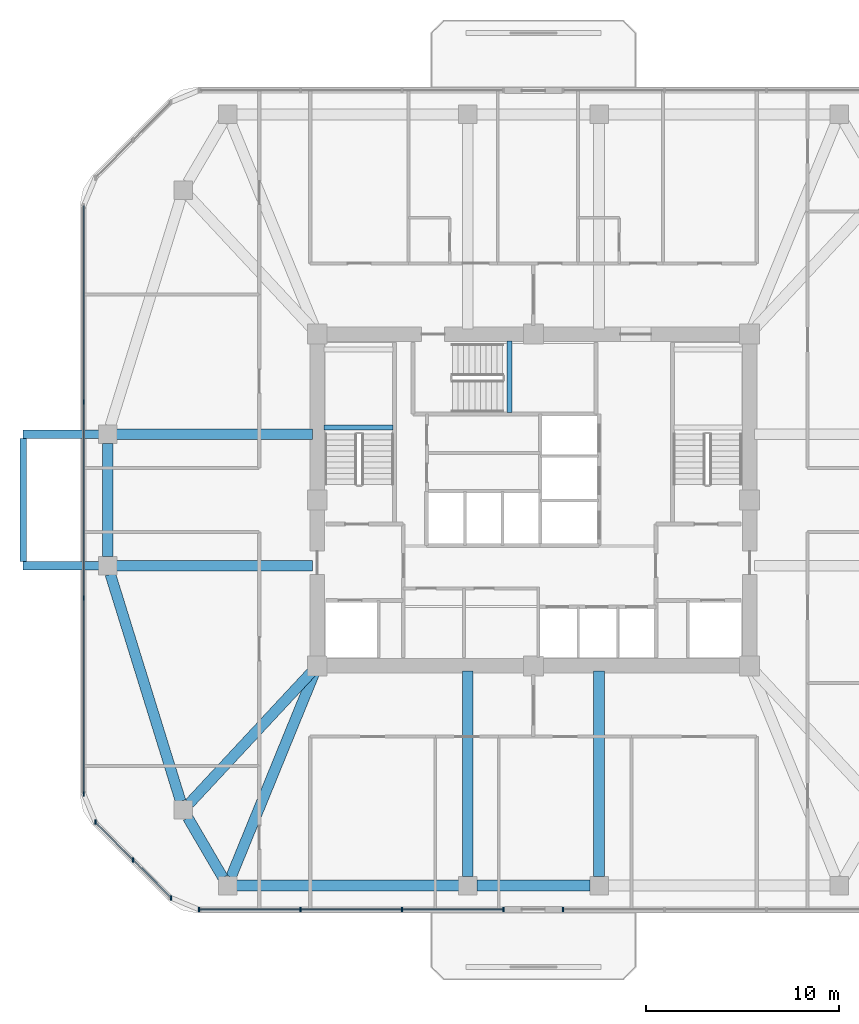
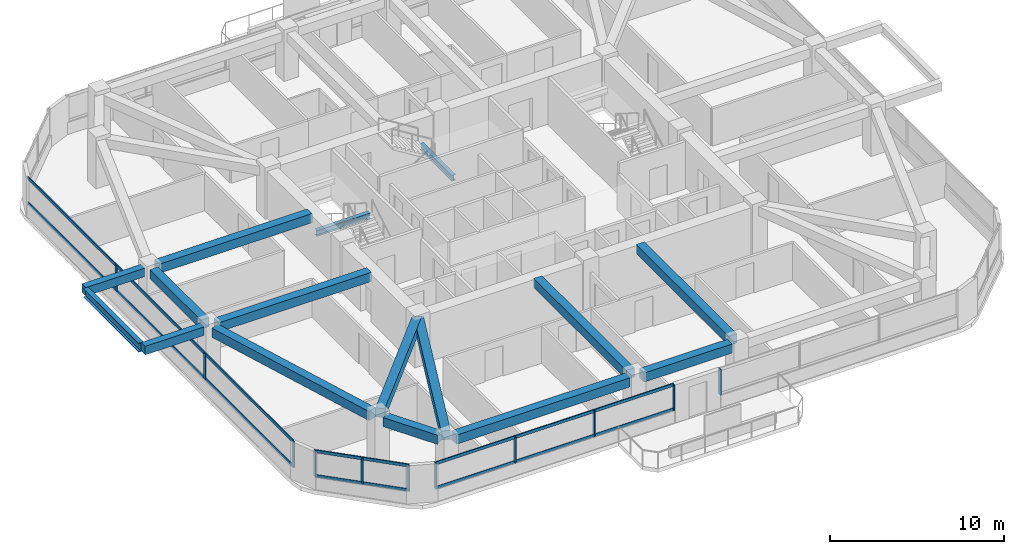
# One storey, part 2 of 12: 17 members, 16 beams, 4 elements without a shape of their own.
"""IFC4 building model written with IfcOpenShell, lengths in metres."""

import ifcopenshell
import ifcopenshell.guid

model = None  # the IFC model being written
_history = None  # IfcOwnerHistory: only IFC2X3 demands one
_inside = {}  # id of a spatial element -> (the spatial element, [elements in it])
_under = {}  # id of a project, library or spatial element -> (it, [spatial elements below it])
_declared = {}  # id of a project -> (the project, [libraries it declares])
_typed = {}  # id of a type object -> (the type object, [elements of that type])
_made_of = {}  # id of a material, layer set ... -> (it, [elements and type objects made of it])


def new_model(schema):
    """Start an empty IFC model of exactly this schema.

    Asked for "IFC4X3", IfcOpenShell would pick the latest addendum, in which some entities
    have other attributes; the version numbers below select the first issue.
    IFC2X3 requires an IfcOwnerHistory on every rooted entity: one is made here for all.
    """
    global model, _history
    if schema == "IFC4X3":
        model = ifcopenshell.file(schema_version=(4, 3, 0, 0))
    else:
        model = ifcopenshell.file(schema=schema)
    _inside.clear()
    _under.clear()
    _declared.clear()
    _typed.clear()
    _made_of.clear()
    _history = None
    if model.schema == "IFC2X3":
        org = make("IfcOrganization", Name="unknown")
        user = make(
            "IfcPersonAndOrganization",
            ThePerson=make("IfcPerson", FamilyName="unknown"),
            TheOrganization=org,
        )
        app = make(
            "IfcApplication",
            ApplicationDeveloper=org,
            Version="unknown",
            ApplicationFullName="unknown",
            ApplicationIdentifier="unknown",
        )
        _history = make(
            "IfcOwnerHistory",
            OwningUser=user,
            OwningApplication=app,
            ChangeAction="ADDED",
            CreationDate=0,
        )
    return model


def make(cls, **values):
    """One entity of the class cls with the attributes given. An attribute that is None is left unset."""
    return model.create_entity(
        cls, **{name: value for name, value in values.items() if value is not None}
    )


def rooted(cls, **values):
    """An entity with a GlobalId (a new one), such as an element, a storey or a relation."""
    return make(cls, GlobalId=ifcopenshell.guid.new(), OwnerHistory=_history, **values)


def si_unit(unit_type, name, prefix=None):
    """IfcSIUnit, for example si_unit("LENGTHUNIT", "METRE", prefix="MILLI")."""
    return make("IfcSIUnit", UnitType=unit_type, Prefix=prefix, Name=name)


def derived_unit(unit_type, elements):
    """IfcDerivedUnit: a product of units, each with its exponent."""
    return make(
        "IfcDerivedUnit",
        Elements=[
            make("IfcDerivedUnitElement", Unit=unit, Exponent=power)
            for unit, power in elements
        ],
        UnitType=unit_type,
    )


def assignment(units):
    """IfcUnitAssignment: the units of a project."""
    return None if units is None else make("IfcUnitAssignment", Units=units)


def point(xyz):
    """IfcCartesianPoint."""
    return None if xyz is None else make("IfcCartesianPoint", Coordinates=xyz)


def direction(xyz):
    """IfcDirection."""
    return None if xyz is None else make("IfcDirection", DirectionRatios=xyz)


def frame(location, z_axis=None, x_axis=None):
    """IfcAxis2Placement3D, a coordinate frame: its origin and axes. An axis left out is left unset."""
    return make(
        "IfcAxis2Placement3D",
        Location=point(location),
        Axis=direction(z_axis),
        RefDirection=direction(x_axis),
    )


def frame_2d(location, x_axis=None):
    """IfcAxis2Placement2D, a coordinate frame in the plane: its origin and x axis."""
    return make(
        "IfcAxis2Placement2D", Location=point(location), RefDirection=direction(x_axis)
    )


def origin():
    """The frame at (0, 0, 0) with its axes left unset."""
    return frame((0.0, 0.0, 0.0))


def origin_2d():
    """The frame at (0, 0) in the plane with its x axis left unset."""
    return frame_2d((0.0, 0.0))


def place(relative_to, where):
    """IfcLocalPlacement: puts the frame where relative to a parent placement (None: the world)."""
    return make(
        "IfcLocalPlacement", PlacementRelTo=relative_to, RelativePlacement=where
    )


def context(
    kind, dimensions, precision=None, world=None, true_north=None, identifier=None
):
    """IfcGeometricRepresentationContext, for example the 3D "Model" context."""
    return make(
        "IfcGeometricRepresentationContext",
        ContextIdentifier=identifier,
        ContextType=kind,
        CoordinateSpaceDimension=dimensions,
        Precision=precision,
        WorldCoordinateSystem=world,
        TrueNorth=true_north,
    )


def subcontext(parent, identifier, kind, view, scale=None):
    """IfcGeometricRepresentationSubContext, for example "Body" below "Model"."""
    return make(
        "IfcGeometricRepresentationSubContext",
        ContextIdentifier=identifier,
        ContextType=kind,
        ParentContext=parent,
        TargetScale=scale,
        TargetView=view,
    )


def project(units=None, contexts=None):
    """IfcProject with its units and contexts."""
    return rooted(
        "IfcProject",
        Name="project",
        RepresentationContexts=contexts,
        UnitsInContext=assignment(units),
    )


def spatial(cls, under=None, at=None, **own):
    """A site, building, storey or space (cls), placed at a placement, below another one or the project."""
    s = rooted(cls, ObjectPlacement=at, **own)
    if under is not None:
        _under.setdefault(under.id(), (under, []))[1].append(s)
    return s


def profile(cls, at=None, kind="AREA", **sizes):
    """A parametric profile (cls). Its sizes go by their IFC names, for example OverallWidth=200.0."""
    return make(cls, ProfileType=kind, Position=at, **sizes)


def rectangle(**sizes):
    """IfcRectangleProfileDef."""
    return profile("IfcRectangleProfileDef", **sizes)


def i_section(**sizes):
    """IfcIShapeProfileDef."""
    return profile("IfcIShapeProfileDef", **sizes)


def extrude(swept, where, along, depth):
    """IfcExtrudedAreaSolid: the profile swept, set in the frame where, extruded along a direction by depth."""
    return make(
        "IfcExtrudedAreaSolid",
        SweptArea=swept,
        Position=where,
        ExtrudedDirection=direction(along),
        Depth=depth,
    )


def shape(context_of_items, identifier, shape_type, items):
    """IfcShapeRepresentation: the items that make up one representation, for example the "Body"."""
    return make(
        "IfcShapeRepresentation",
        ContextOfItems=context_of_items,
        RepresentationIdentifier=identifier,
        RepresentationType=shape_type,
        Items=items,
    )


def material(Name=None, Category=None):
    """IfcMaterial."""
    return make("IfcMaterial", Name=Name, Category=Category)


def material_profile(
    of_material, cross_section, Name=None, Category=None, Priority=None
):
    """IfcMaterialProfile: a cross section and its material."""
    return make(
        "IfcMaterialProfile",
        Name=Name,
        Material=of_material,
        Profile=cross_section,
        Priority=Priority,
        Category=Category,
    )


def profile_set(profiles, Name=None, composite=None):
    """IfcMaterialProfileSet."""
    return make(
        "IfcMaterialProfileSet",
        Name=Name,
        MaterialProfiles=profiles,
        CompositeProfile=composite,
    )


def made_of(thing, what):
    """Note that an element or type object is made of a material, layer set ...; save() writes the relation."""
    if what is not None:
        _made_of.setdefault(what.id(), (what, []))[1].append(thing)
    return thing


def type_object(cls, material=None, **own):
    """A type object (cls), such as IfcWallType, which elements share."""
    return made_of(rooted(cls, **own), material)


def element(
    cls,
    number,
    at=None,
    inside=None,
    cuts=None,
    type_object=None,
    material=None,
    context=None,
    identifier="Body",
    shape_type=None,
    held_by="IfcProductDefinitionShape",
    body=None,
    shapes=None,
    **own,
):
    """One element of the class cls, such as IfcWall. Its Tag is "e" and its number.

    at: its placement. inside: the storey or other place that contains it. cuts: it is an
    opening in that element (IfcRelVoidsElement). A single representation is given by context,
    identifier, shape_type and body (its items); several are given by shapes. held_by: the class
    of the entity that holds the representations. save() writes the other relations.
    """
    e = rooted(cls, Tag="e%d" % number, ObjectPlacement=at, **own)
    if body is not None:
        shapes = [shape(context, identifier, shape_type, body)]
    if shapes is not None:
        e.Representation = make(held_by, Representations=shapes)
    if inside is not None:
        _inside.setdefault(inside.id(), (inside, []))[1].append(e)
    if cuts is not None:
        rooted(
            "IfcRelVoidsElement", RelatingBuildingElement=cuts, RelatedOpeningElement=e
        )
    if type_object is not None:
        _typed.setdefault(type_object.id(), (type_object, []))[1].append(e)
    return made_of(e, material)


def aggregate(whole, parts):
    """IfcRelAggregates: a whole, such as a stair, and the parts it consists of."""
    return rooted("IfcRelAggregates", RelatingObject=whole, RelatedObjects=parts)


def save(model, path):
    """Write the relations noted so far, then the file.

    IfcRelAggregates (storeys below a building ...), IfcRelContainedInSpatialStructure (elements
    in a storey), IfcRelDefinesByType, IfcRelAssociatesMaterial and IfcRelDeclares: one each for
    every whole, place, type object, material and project.
    """
    for whole, parts in _under.values():
        aggregate(whole, parts)
    for where, things in _inside.values():
        rooted(
            "IfcRelContainedInSpatialStructure",
            RelatedElements=things,
            RelatingStructure=where,
        )
    for kind, things in _typed.values():
        rooted("IfcRelDefinesByType", RelatedObjects=things, RelatingType=kind)
    for what, things in _made_of.values():
        rooted("IfcRelAssociatesMaterial", RelatedObjects=things, RelatingMaterial=what)
    for by, libraries in _declared.values():
        rooted("IfcRelDeclares", RelatingContext=by, RelatedDefinitions=libraries)
    model.write(path)


model = new_model("IFC4")

# Units and contexts
model_context = context("Model", 3, precision=1e-05, world=origin(), true_north=direction((0.0, 1.0)))
body_context = subcontext(model_context, "Body", "Model", "MODEL_VIEW")
ifc_project = project(units=[si_unit("LENGTHUNIT", "METRE"), si_unit("AREAUNIT", "SQUARE_METRE"), si_unit("VOLUMEUNIT", "CUBIC_METRE"), si_unit("PLANEANGLEUNIT", "RADIAN"), si_unit("MASSUNIT", "GRAM", prefix="KILO"), derived_unit("THERMALTRANSMITTANCEUNIT", [(si_unit("POWERUNIT", "WATT"), 1), (si_unit("LENGTHUNIT", "METRE"), -2), (si_unit("THERMODYNAMICTEMPERATUREUNIT", "KELVIN"), -1)])], contexts=[model_context])

# Site, building, storey
site_placement = place(None, origin())
site = spatial("IfcSite", under=ifc_project, at=site_placement, CompositionType="ELEMENT")
building_placement = place(site_placement, origin())
building = spatial("IfcBuilding", under=site, at=building_placement, Name="Koralith Skygarden Medical Center", CompositionType="ELEMENT")
storey_placement = place(building_placement, frame((0.0, 0.0, 138.419921875)))
storey = spatial("IfcBuildingStorey", under=building, at=storey_placement, Name="L35", CompositionType="ELEMENT", Elevation=138.419921875)

# Curtain wall, members
ifc_material_1 = material(Name="Clear Laminated Glass", Category="glass")
curtain_wall_type = type_object("IfcCurtainWallType", Name="CW-4 Zone 3 Waist High-Wind Curtain Wall", PredefinedType="NOTDEFINED", material=ifc_material_1)
curtain_wall_1_placement = place(storey_placement, origin())
curtain_wall_1 = element("IfcCurtainWall", 1, at=curtain_wall_1_placement, inside=storey, type_object=curtain_wall_type, Name="Curtain Wall CW-L35-S-L", PredefinedType="NOTDEFINED")
ifc_material_2 = material(Name="Aluminium 6063-T6", Category="aluminium")
ifc_material_profile_1 = material_profile(ifc_material_2, rectangle(XDim=0.076904296875, YDim=0.22998046875, at=origin_2d()), Name="MUL77X230")
ifc_profile_set_1 = profile_set([ifc_material_profile_1], Name="Aluminium 6063-T6")
member_type_1 = type_object("IfcMemberType", Name="CW-4 Extruded Mullion 77x230", PredefinedType="MULLION", material=ifc_profile_set_1)
member_1_placement = place(storey_placement, frame((19.6708984375, 4.679931640625, 0.85009765625), z_axis=(0.0, 0.0, 1.0), x_axis=(1.0, 0.0, 0.0)))
member_1 = element("IfcMember", 2, at=member_1_placement, type_object=member_type_1, Name="CW-L35-S-L Mullion 1", PredefinedType="MULLION", context=body_context, shape_type="SweptSolid", body=[
    extrude(rectangle(XDim=0.076904296875, YDim=0.22998046875, at=origin_2d()), origin(), (0.0, 0.0, 1.0), 1.820068359375),
])
member_2_placement = place(storey_placement, frame((24.93408203125, 4.679931640625, 0.85009765625), z_axis=(0.0, 0.0, 1.0), x_axis=(1.0, 0.0, 0.0)))
member_2 = element("IfcMember", 3, at=member_2_placement, type_object=member_type_1, Name="CW-L35-S-L Mullion 2", PredefinedType="MULLION", context=body_context, shape_type="SweptSolid", body=[
    extrude(rectangle(XDim=0.076904296875, YDim=0.22998046875, at=origin_2d()), origin(), (0.0, 0.0, 1.0), 1.820068359375),
])
member_3_placement = place(storey_placement, frame((30.196044921875, 4.679931640625, 0.85009765625), z_axis=(0.0, 0.0, 1.0), x_axis=(1.0, 0.0, 0.0)))
member_3 = element("IfcMember", 4, at=member_3_placement, type_object=member_type_1, Name="CW-L35-S-L Mullion 3", PredefinedType="MULLION", context=body_context, shape_type="SweptSolid", body=[
    extrude(rectangle(XDim=0.076904296875, YDim=0.22998046875, at=origin_2d()), origin(), (0.0, 0.0, 1.0), 1.820068359375),
])
member_4_placement = place(storey_placement, frame((35.458984375, 4.679931640625, 0.85009765625), z_axis=(0.0, 0.0, 1.0), x_axis=(1.0, 0.0, 0.0)))
member_4 = element("IfcMember", 5, at=member_4_placement, type_object=member_type_1, Name="CW-L35-S-L Mullion 4", PredefinedType="MULLION", context=body_context, shape_type="SweptSolid", body=[
    extrude(rectangle(XDim=0.076904296875, YDim=0.22998046875, at=origin_2d()), origin(), (0.0, 0.0, 1.0), 1.820068359375),
])

# Curtain wall, member
curtain_wall_2_placement = place(storey_placement, origin())
curtain_wall_2 = element("IfcCurtainWall", 6, at=curtain_wall_2_placement, inside=storey, type_object=curtain_wall_type, Name="Curtain Wall CW-L35-S-R", PredefinedType="NOTDEFINED")
member_5_placement = place(storey_placement, frame((38.5390625, 4.679931640625, 0.85009765625), z_axis=(0.0, 0.0, 1.0), x_axis=(1.0, 0.0, 0.0)))
member_5 = element("IfcMember", 7, at=member_5_placement, type_object=member_type_1, Name="CW-L35-S-R Mullion 1", PredefinedType="MULLION", context=body_context, shape_type="SweptSolid", body=[
    extrude(rectangle(XDim=0.076904296875, YDim=0.22998046875, at=origin_2d()), origin(), (0.0, 0.0, 1.0), 1.820068359375),
])
aggregate(curtain_wall_2, [member_5])

# Curtain wall, members
curtain_wall_3_placement = place(storey_placement, origin())
curtain_wall_3 = element("IfcCurtainWall", 8, at=curtain_wall_3_placement, inside=storey, type_object=curtain_wall_type, Name="Curtain Wall CW-L35-W", PredefinedType="NOTDEFINED")
member_6_placement = place(storey_placement, frame((13.696044921875, 30.98193359375, 0.85009765625), z_axis=(0.0, 0.0, 1.0), x_axis=(1.0, 0.0, 0.0)))
member_6 = element("IfcMember", 9, at=member_6_placement, type_object=member_type_1, Name="CW-L35-W Mullion 2", PredefinedType="MULLION", context=body_context, shape_type="SweptSolid", body=[
    extrude(rectangle(XDim=0.076904296875, YDim=0.22998046875, at=origin_2d()), origin(), (0.0, 0.0, 1.0), 1.820068359375),
])
member_7_placement = place(storey_placement, frame((13.696044921875, 20.818115234375, 0.85009765625), z_axis=(0.0, 0.0, 1.0), x_axis=(1.0, 0.0, 0.0)))
member_7 = element("IfcMember", 10, at=member_7_placement, type_object=member_type_1, Name="CW-L35-W Mullion 3", PredefinedType="MULLION", context=body_context, shape_type="SweptSolid", body=[
    extrude(rectangle(XDim=0.076904296875, YDim=0.22998046875, at=origin_2d()), origin(), (0.0, 0.0, 1.0), 1.820068359375),
])
member_8_placement = place(storey_placement, frame((13.696044921875, 10.655029296875, 0.85009765625), z_axis=(0.0, 0.0, 1.0), x_axis=(1.0, 0.0, 0.0)))
member_8 = element("IfcMember", 11, at=member_8_placement, type_object=member_type_1, Name="CW-L35-W Mullion 4", PredefinedType="MULLION", context=body_context, shape_type="SweptSolid", body=[
    extrude(rectangle(XDim=0.076904296875, YDim=0.22998046875, at=origin_2d()), origin(), (0.0, 0.0, 1.0), 1.820068359375),
])

curtain_wall_4_placement = place(storey_placement, origin())
curtain_wall_4 = element("IfcCurtainWall", 12, at=curtain_wall_4_placement, inside=storey, type_object=curtain_wall_type, Name="Curtain Wall CW-L35-SW", PredefinedType="NOTDEFINED")
member_9_placement = place(storey_placement, frame((14.297119140625, 9.2041015625, 0.85009765625), z_axis=(0.0, 0.0, 1.0), x_axis=(1.0, 0.0, 0.0)))
member_9 = element("IfcMember", 13, at=member_9_placement, type_object=member_type_1, Name="CW-L35-SW Mullion 1", PredefinedType="MULLION", context=body_context, shape_type="SweptSolid", body=[
    extrude(rectangle(XDim=0.076904296875, YDim=0.22998046875, at=origin_2d()), origin(), (0.0, 0.0, 1.0), 1.820068359375),
])
member_10_placement = place(storey_placement, frame((16.258056640625, 7.241943359375, 0.85009765625), z_axis=(0.0, 0.0, 1.0), x_axis=(1.0, 0.0, 0.0)))
member_10 = element("IfcMember", 14, at=member_10_placement, type_object=member_type_1, Name="CW-L35-SW Mullion 2", PredefinedType="MULLION", context=body_context, shape_type="SweptSolid", body=[
    extrude(rectangle(XDim=0.076904296875, YDim=0.22998046875, at=origin_2d()), origin(), (0.0, 0.0, 1.0), 1.820068359375),
])
member_11_placement = place(storey_placement, frame((18.219970703125, 5.281005859375, 0.85009765625), z_axis=(0.0, 0.0, 1.0), x_axis=(1.0, 0.0, 0.0)))
member_11 = element("IfcMember", 15, at=member_11_placement, type_object=member_type_1, Name="CW-L35-SW Mullion 3", PredefinedType="MULLION", context=body_context, shape_type="SweptSolid", body=[
    extrude(rectangle(XDim=0.076904296875, YDim=0.22998046875, at=origin_2d()), origin(), (0.0, 0.0, 1.0), 1.820068359375),
])

# Member
ifc_material_profile_2 = material_profile(ifc_material_2, rectangle(XDim=0.072021484375, YDim=0.20703125, at=origin_2d()), Name="TRN72X207")
ifc_profile_set_2 = profile_set([ifc_material_profile_2], Name="Aluminium 6063-T6")
member_type_2 = type_object("IfcMemberType", Name="CW-4 Thermal Transom 72x207", PredefinedType="USERDEFINED", material=ifc_profile_set_2)
member_12_placement = place(storey_placement, frame((19.6708984375, 4.679931640625, 0.900146484375), z_axis=(1.0, 0.0, 0.0), x_axis=(0.0, 1.0, 0.0)))
member_12 = element("IfcMember", 16, at=member_12_placement, type_object=member_type_2, Name="CW-L35-S-L Transom 1", ObjectType="TRANSOM", PredefinedType="USERDEFINED", context=body_context, shape_type="SweptSolid", body=[
    extrude(rectangle(XDim=0.072021484375, YDim=0.20703125, at=origin_2d()), origin(), (0.0, 0.0, 1.0), 15.7880859375),
])

member_13_placement = place(storey_placement, frame((19.6708984375, 4.679931640625, 2.6201171875), z_axis=(1.0, 0.0, 0.0), x_axis=(0.0, 1.0, 0.0)))
member_13 = element("IfcMember", 17, at=member_13_placement, type_object=member_type_2, Name="CW-L35-S-L Transom 2", ObjectType="TRANSOM", PredefinedType="USERDEFINED", context=body_context, shape_type="SweptSolid", body=[
    extrude(rectangle(XDim=0.072021484375, YDim=0.20703125, at=origin_2d()), origin(), (0.0, 0.0, 1.0), 15.7880859375),
])

aggregate(curtain_wall_1, [member_1, member_2, member_3, member_4, member_12, member_13])

member_14_placement = place(storey_placement, frame((13.696044921875, 41.14501953125, 0.900146484375), z_axis=(0.0, -1.0, 0.0), x_axis=(1.0, 0.0, 0.0)))
member_14 = element("IfcMember", 18, at=member_14_placement, type_object=member_type_2, Name="CW-L35-W Transom 1", ObjectType="TRANSOM", PredefinedType="USERDEFINED", context=body_context, shape_type="SweptSolid", body=[
    extrude(rectangle(XDim=0.072021484375, YDim=0.20703125, at=origin_2d()), origin(), (0.0, 0.0, 1.0), 30.489990234375),
])

member_15_placement = place(storey_placement, frame((13.696044921875, 41.14501953125, 2.6201171875), z_axis=(0.0, -1.0, 0.0), x_axis=(1.0, 0.0, 0.0)))
member_15 = element("IfcMember", 19, at=member_15_placement, type_object=member_type_2, Name="CW-L35-W Transom 2", ObjectType="TRANSOM", PredefinedType="USERDEFINED", context=body_context, shape_type="SweptSolid", body=[
    extrude(rectangle(XDim=0.072021484375, YDim=0.20703125, at=origin_2d()), origin(), (0.0, 0.0, 1.0), 30.489990234375),
])

aggregate(curtain_wall_3, [member_6, member_7, member_8, member_14, member_15])

member_16_placement = place(storey_placement, frame((14.297119140625, 9.2041015625, 0.900146484375), z_axis=(0.707084777957, -0.707128783731, 0.0), x_axis=(0.707128783731, 0.707084777957, 0.0)))
member_16 = element("IfcMember", 20, at=member_16_placement, type_object=member_type_2, Name="CW-L35-SW Transom 1", ObjectType="TRANSOM", PredefinedType="USERDEFINED", context=body_context, shape_type="SweptSolid", body=[
    extrude(rectangle(XDim=0.072021484375, YDim=0.20703125, at=origin_2d()), origin(), (0.0, 0.0, 1.0), 5.5478515625),
])

member_17_placement = place(storey_placement, frame((14.297119140625, 9.2041015625, 2.6201171875), z_axis=(0.707084777957, -0.707128783731, 0.0), x_axis=(0.707128783731, 0.707084777957, 0.0)))
member_17 = element("IfcMember", 21, at=member_17_placement, type_object=member_type_2, Name="CW-L35-SW Transom 2", ObjectType="TRANSOM", PredefinedType="USERDEFINED", context=body_context, shape_type="SweptSolid", body=[
    extrude(rectangle(XDim=0.072021484375, YDim=0.20703125, at=origin_2d()), origin(), (0.0, 0.0, 1.0), 5.5478515625),
])

aggregate(curtain_wall_4, [member_9, member_10, member_11, member_16, member_17])

# Beams
ifc_material_3 = material(Name="Steel ASTM A992 Grade 50", Category="steel")
ifc_material_profile_3 = material_profile(ifc_material_3, i_section(OverallWidth=0.326904296875, OverallDepth=0.6220703125, WebThickness=0.015380859375, FlangeThickness=0.0244140625, at=origin_2d()), Name="W24X131")
ifc_profile_set_3 = profile_set([ifc_material_profile_3], Name="Steel ASTM A992 Grade 50")
beam_type_1 = type_object("IfcBeamType", Name="Cantilever Tie Beam W24X131", PredefinedType="BEAM", material=ifc_profile_set_3)
beam_1_placement = place(storey_placement, frame((10.555908203125, 22.719970703125, 3.029052734375), z_axis=(0.0, 1.0, 0.0), x_axis=(-1.0, 0.0, 0.0)))
element("IfcBeam", 22, at=beam_1_placement, inside=storey, type_object=beam_type_1, Name="L36 W Balcony Tip Tie Beam", PredefinedType="BEAM", context=body_context, shape_type="SweptSolid", body=[
    extrude(i_section(OverallWidth=0.326904296875, OverallDepth=0.6220703125, WebThickness=0.015380859375, FlangeThickness=0.0244140625, at=origin_2d()), origin(), (0.0, 0.0, 1.0), 6.360107421875),
])
ifc_material_profile_4 = material_profile(ifc_material_3, i_section(OverallWidth=0.260009765625, OverallDepth=0.4150390625, WebThickness=0.010009765625, FlangeThickness=0.016845703125, at=origin_2d()), Name="W16X67")
ifc_profile_set_4 = profile_set([ifc_material_profile_4], Name="Steel ASTM A992 Grade 50")
beam_type_2 = type_object("IfcBeamType", Name="Clinical Floor Joist W16X67", PredefinedType="JOIST", material=ifc_profile_set_4)
beam_2_placement = place(storey_placement, frame((26.155029296875, 29.659912109375, 1.39208984375), z_axis=(1.0, 0.0, 0.0), x_axis=(0.0, 1.0, 0.0)))
element("IfcBeam", 23, at=beam_2_placement, inside=storey, type_object=beam_type_2, Name="L35 Stair ST1 Half-Landing Support Beam 1A", PredefinedType="JOIST", context=body_context, shape_type="SweptSolid", body=[
    extrude(i_section(OverallWidth=0.260009765625, OverallDepth=0.4150390625, WebThickness=0.010009765625, FlangeThickness=0.016845703125, at=origin_2d()), origin(), (0.0, 0.0, 1.0), 3.56494140625),
])
beam_3_placement = place(storey_placement, frame((35.760009765625, 30.43994140625, 1.39208984375), z_axis=(0.0, 1.0, 0.0), x_axis=(-1.0, 0.0, 0.0)))
element("IfcBeam", 24, at=beam_3_placement, inside=storey, type_object=beam_type_2, Name="L35 Stair ST3 Half-Landing Support Beam 1A", PredefinedType="JOIST", context=body_context, shape_type="SweptSolid", body=[
    extrude(i_section(OverallWidth=0.260009765625, OverallDepth=0.4150390625, WebThickness=0.010009765625, FlangeThickness=0.016845703125, at=origin_2d()), origin(), (0.0, 0.0, 1.0), 3.705078125),
])
ifc_material_4 = material(Name="Concrete C45/55", Category="concrete")
ifc_material_profile_5 = material_profile(ifc_material_4, rectangle(XDim=0.449951171875, YDim=0.60009765625, at=origin_2d()), Name="RCB450X600")
ifc_profile_set_5 = profile_set([ifc_material_profile_5], Name="Concrete C45/55")
beam_type_3 = type_object("IfcBeamType", Name="Planted Balcony Cantilever Beam RCB450X600", PredefinedType="BEAM", material=ifc_profile_set_5)
for number, where, z_axis, x_axis, name in (
    (25, (14.47607421875, 22.5, 3.0400390625), (-1.0, 0.0, 0.0), (0.0, -1.0, 0.0), "L36 W Balcony Cantilever Beam A"),
    (26, (14.47607421875, 29.300048828125, 3.0400390625), (-1.0, 0.0, 0.0), (0.0, -1.0, 0.0), "L36 W Balcony Cantilever Beam B"),
):
    element("IfcBeam", number, at=place(storey_placement, frame(where, z_axis=z_axis, x_axis=x_axis)), inside=storey, type_object=beam_type_3, Name=name, PredefinedType="BEAM", context=body_context, shape_type="SweptSolid", body=[
        extrude(rectangle(XDim=0.449951171875, YDim=0.60009765625, at=origin_2d()), origin(), (0.0, 0.0, 1.0), 3.920166015625),
    ])
ifc_material_profile_6 = material_profile(ifc_material_4, rectangle(XDim=0.550048828125, YDim=0.639892578125, at=origin_2d()), Name="RCB550X640")
ifc_profile_set_6 = profile_set([ifc_material_profile_6], Name="Concrete C45/55")
beam_type_4 = type_object("IfcBeamType", Name="Radial Collector Beam RCB550X640", PredefinedType="BEAM", material=ifc_profile_set_6)
beam_4_placement = place(storey_placement, frame((25.550048828125, 22.5, 3.0), z_axis=(-1.0, 0.0, 0.0), x_axis=(0.0, -1.0, 0.0)))
element("IfcBeam", 27, at=beam_4_placement, inside=storey, type_object=beam_type_4, Name="L35 Radial Collector Beam RB-01", PredefinedType="BEAM", context=body_context, shape_type="SweptSolid", body=[
    extrude(rectangle(XDim=0.550048828125, YDim=0.639892578125, at=origin_2d()), origin(), (0.0, 0.0, 1.0), 10.14404296875),
])
beam_5_placement = place(storey_placement, frame((25.6298828125, 17.116943359375, 3.0), z_axis=(-0.681369011591, -0.731940072713, 0.0), x_axis=(0.731940072713, -0.681369011591, 0.0)))
element("IfcBeam", 28, at=beam_5_placement, inside=storey, type_object=beam_type_4, Name="L35 Radial Collector Beam RB-02", PredefinedType="BEAM", context=body_context, shape_type="SweptSolid", body=[
    extrude(rectangle(XDim=0.550048828125, YDim=0.639892578125, at=origin_2d()), origin(), (0.0, 0.0, 1.0), 9.471923828125),
])
beam_6_placement = place(storey_placement, frame((25.705078125, 17.069091796875, 3.0), z_axis=(-0.378344544364, -0.92566484526, 0.0), x_axis=(0.92566484526, -0.378344544364, 0.0)))
element("IfcBeam", 29, at=beam_6_placement, inside=storey, type_object=beam_type_4, Name="L35 Radial Collector Beam RB-03", PredefinedType="BEAM", context=body_context, shape_type="SweptSolid", body=[
    extrude(rectangle(XDim=0.550048828125, YDim=0.639892578125, at=origin_2d()), origin(), (0.0, 0.0, 1.0), 11.574462890625),
])
for number, where, z_axis, x_axis, name in (
    (30, (33.60009765625, 17.050048828125, 3.0), (0.0, -1.0, 0.0), (1.0, 0.0, 0.0), "L35 Radial Collector Beam RB-04"),
    (31, (40.39990234375, 17.050048828125, 3.0), (0.0, -1.0, 0.0), (1.0, 0.0, 0.0), "L35 Radial Collector Beam RB-05"),
):
    element("IfcBeam", number, at=place(storey_placement, frame(where, z_axis=z_axis, x_axis=x_axis)), inside=storey, type_object=beam_type_4, Name=name, PredefinedType="BEAM", context=body_context, shape_type="SweptSolid", body=[
        extrude(rectangle(XDim=0.550048828125, YDim=0.639892578125, at=origin_2d()), origin(), (0.0, 0.0, 1.0), 10.66015625),
    ])
beam_7_placement = place(storey_placement, frame((25.550048828125, 29.300048828125, 3.0), z_axis=(-1.0, 0.0, 0.0), x_axis=(0.0, -1.0, 0.0)))
element("IfcBeam", 32, at=beam_7_placement, inside=storey, type_object=beam_type_4, Name="L35 Radial Collector Beam RB-16", PredefinedType="BEAM", context=body_context, shape_type="SweptSolid", body=[
    extrude(rectangle(XDim=0.550048828125, YDim=0.639892578125, at=origin_2d()), origin(), (0.0, 0.0, 1.0), 10.14404296875),
])
ifc_material_profile_7 = material_profile(ifc_material_4, rectangle(XDim=0.550048828125, YDim=0.639892578125, at=origin_2d()), Name="RCB550X640")
ifc_profile_set_7 = profile_set([ifc_material_profile_7], Name="Concrete C45/55")
beam_type_5 = type_object("IfcBeamType", Name="Zone 2-3 Spandrel Beam RCB550X640", PredefinedType="SPANDREL", material=ifc_profile_set_7)
beam_8_placement = place(storey_placement, frame((15.074951171875, 22.051025390625, 3.0), z_axis=(0.295793585147, -0.955251880389, 0.0), x_axis=(0.955251880389, 0.295793585147, 0.0)))
element("IfcBeam", 33, at=beam_8_placement, inside=storey, type_object=beam_type_5, Name="L35 Perimeter Spandrel Beam SP-01", PredefinedType="SPANDREL", context=body_context, shape_type="SweptSolid", body=[
    extrude(rectangle(XDim=0.550048828125, YDim=0.639892578125, at=origin_2d()), origin(), (0.0, 0.0, 1.0), 12.31298828125),
])
beam_9_placement = place(storey_placement, frame((19.093017578125, 9.43408203125, 3.0), z_axis=(0.504861391295, -0.863200426077, 0.0), x_axis=(0.863200426077, 0.504861391295, 0.0)))
element("IfcBeam", 34, at=beam_9_placement, inside=storey, type_object=beam_type_5, Name="L35 Perimeter Spandrel Beam SP-02", PredefinedType="SPANDREL", context=body_context, shape_type="SweptSolid", body=[
    extrude(rectangle(XDim=0.550048828125, YDim=0.639892578125, at=origin_2d()), origin(), (0.0, 0.0, 1.0), 3.600830078125),
])
beam_10_placement = place(storey_placement, frame((21.617919921875, 5.919921875, 3.0), z_axis=(1.0, 0.0, 0.0), x_axis=(0.0, 1.0, 0.0)))
element("IfcBeam", 35, at=beam_10_placement, inside=storey, type_object=beam_type_5, Name="L35 Perimeter Spandrel Beam SP-03", PredefinedType="SPANDREL", context=body_context, shape_type="SweptSolid", body=[
    extrude(rectangle(XDim=0.550048828125, YDim=0.639892578125, at=origin_2d()), origin(), (0.0, 0.0, 1.0), 11.511962890625),
])
beam_11_placement = place(storey_placement, frame((34.070068359375, 5.919921875, 3.0), z_axis=(1.0, 0.0, 0.0), x_axis=(0.0, 1.0, 0.0)))
element("IfcBeam", 36, at=beam_11_placement, inside=storey, type_object=beam_type_5, Name="L35 Perimeter Spandrel Beam SP-04", PredefinedType="SPANDREL", context=body_context, shape_type="SweptSolid", body=[
    extrude(rectangle(XDim=0.550048828125, YDim=0.639892578125, at=origin_2d()), origin(), (0.0, 0.0, 1.0), 5.85986328125),
])
beam_12_placement = place(storey_placement, frame((14.93603515625, 28.830078125, 3.0), z_axis=(0.0, -1.0, 0.0), x_axis=(1.0, 0.0, 0.0)))
element("IfcBeam", 37, at=beam_12_placement, inside=storey, type_object=beam_type_5, Name="L35 Perimeter Spandrel Beam SP-16", PredefinedType="SPANDREL", context=body_context, shape_type="SweptSolid", body=[
    extrude(rectangle(XDim=0.550048828125, YDim=0.639892578125, at=origin_2d()), origin(), (0.0, 0.0, 1.0), 5.860107421875),
])

save(model, "model.ifc")
